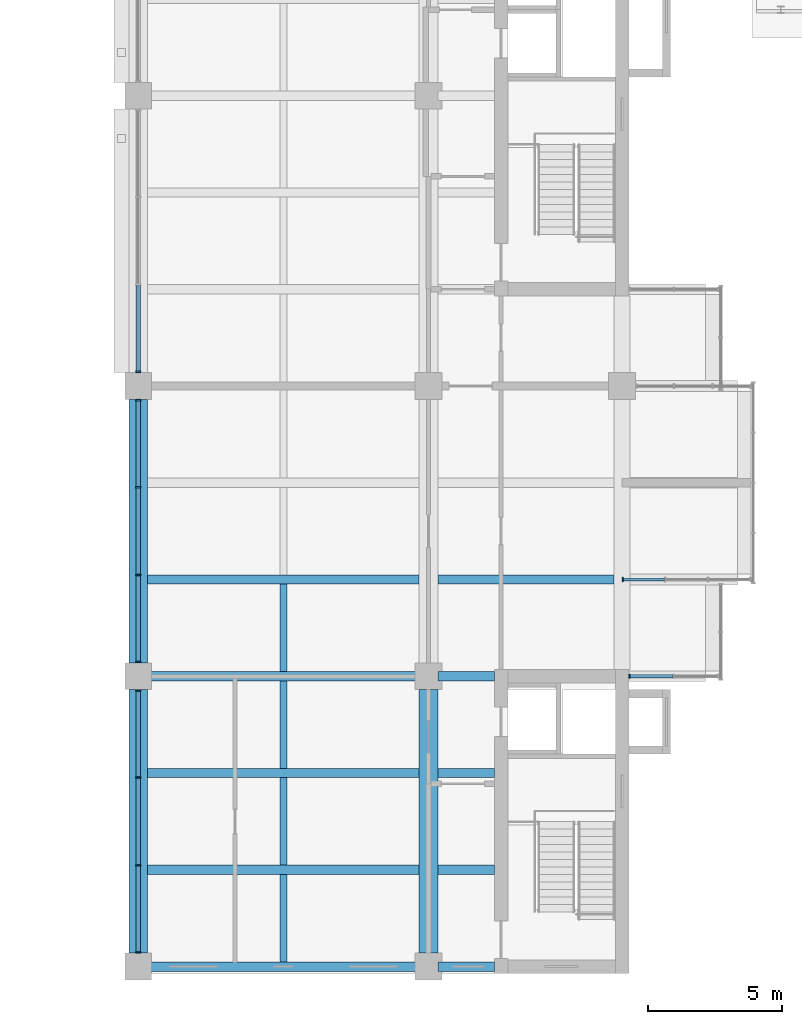
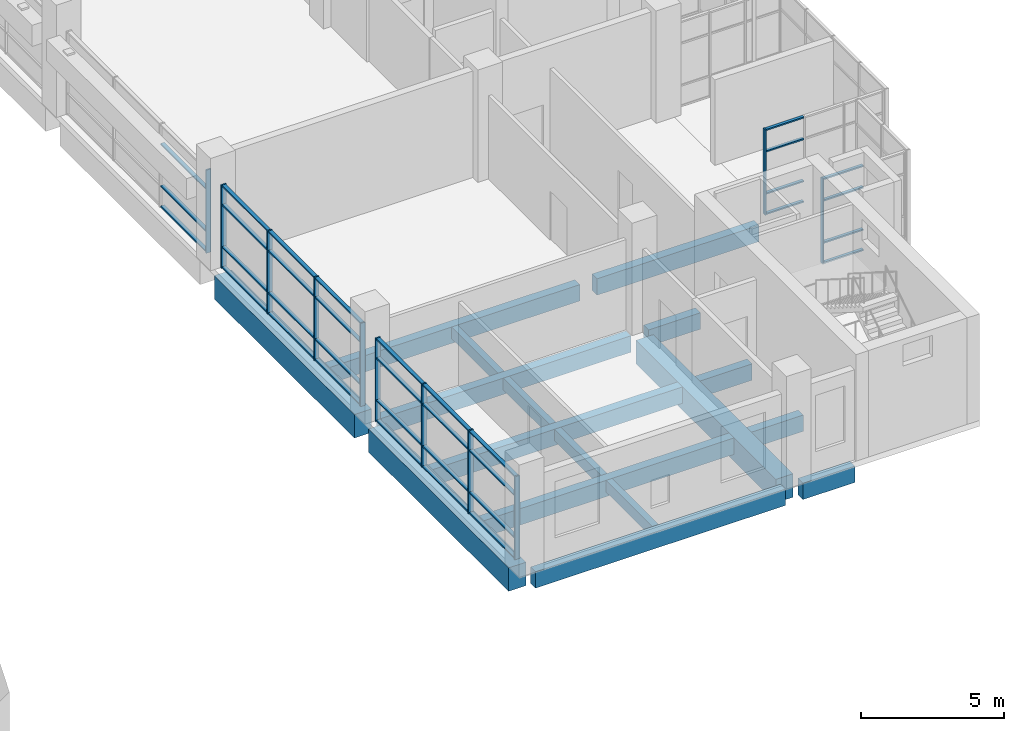
# One storey, part 5 of 44: 46 members, 17 beams, 5 elements without a shape of their own.
"""IFC4 building model written with IfcOpenShell, lengths in metres."""

from ifc_helpers import new_model, si_unit, direction, frame, origin, origin_2d, place, context, subcontext, project, spatial, rectangle, extrude, material, layer, layer_set, material_profile, profile_set, type_object, element, aggregate, save


model = new_model("IFC4")

# Units and contexts
model_context = context("Model", 3, precision=1e-05, world=origin(), true_north=direction((0.0, 1.0)))
body_context = subcontext(model_context, "Body", "Model", "MODEL_VIEW")
ifc_project = project(units=[si_unit("LENGTHUNIT", "METRE"), si_unit("AREAUNIT", "SQUARE_METRE"), si_unit("VOLUMEUNIT", "CUBIC_METRE"), si_unit("PLANEANGLEUNIT", "RADIAN"), si_unit("MASSUNIT", "GRAM", prefix="KILO")], contexts=[model_context])

# Site, building, storey
site_placement = place(None, origin())
site = spatial("IfcSite", under=ifc_project, at=site_placement, CompositionType="ELEMENT")
building_placement = place(site_placement, origin())
building = spatial("IfcBuilding", under=site, at=building_placement, Name="Basin Gate Institute", CompositionType="ELEMENT")
storey_placement = place(building_placement, frame((0.0, 0.0, 27.0)))
storey = spatial("IfcBuildingStorey", under=building, at=storey_placement, Name="L05", CompositionType="ELEMENT", Elevation=27.0)

# Beams
ifc_material_1 = material(Name="Concrete 40 MPa", Category="concrete")
ifc_material_profile_1 = material_profile(ifc_material_1, rectangle(XDim=0.35009765625, YDim=0.699951171875, at=origin_2d()), Name="Beam B1 350 x 700")
ifc_profile_set_1 = profile_set([ifc_material_profile_1], Name="Concrete 40 MPa")
beam_type_1 = type_object("IfcBeamType", Name="Beam B1 R120", PredefinedType="BEAM", material=ifc_profile_set_1)
beam_1_placement = place(storey_placement, frame((111.25, 35.10009765625, -0.60009765625), z_axis=(-1.0, 0.0, 0.0), x_axis=(0.0, -1.0, 0.0)))
element("IfcBeam", 1, at=beam_1_placement, inside=storey, type_object=beam_type_1, material=ifc_profile_set_1, Name="BEAM/L05/E/EW/01", PredefinedType="BEAM", context=body_context, shape_type="SweptSolid", body=[
    extrude(rectangle(XDim=0.35009765625, YDim=0.699951171875, at=origin_2d()), origin(), (0.0, 0.0, 1.0), 10.10009765625),
])
beam_2_placement = place(storey_placement, frame((114.050048828125, 35.10009765625, -0.60009765625), z_axis=(-1.0, 0.0, 0.0), x_axis=(0.0, -1.0, 0.0)))
element("IfcBeam", 2, at=beam_2_placement, inside=storey, type_object=beam_type_1, material=ifc_profile_set_1, Name="BEAM/L05/E/CORR/01", PredefinedType="BEAM", context=body_context, shape_type="SweptSolid", body=[
    extrude(rectangle(XDim=0.35009765625, YDim=0.699951171875, at=origin_2d()), origin(), (0.0, 0.0, 1.0), 2.10009765625),
])
beam_3_placement = place(storey_placement, frame((111.25, 38.699951171875, -0.60009765625), z_axis=(-1.0, 0.0, 0.0), x_axis=(0.0, -1.0, 0.0)))
element("IfcBeam", 3, at=beam_3_placement, inside=storey, type_object=beam_type_1, material=ifc_profile_set_1, Name="BEAM/L05/E/EW/02", PredefinedType="BEAM", context=body_context, shape_type="SweptSolid", body=[
    extrude(rectangle(XDim=0.35009765625, YDim=0.699951171875, at=origin_2d()), origin(), (0.0, 0.0, 1.0), 10.10009765625),
])
beam_4_placement = place(storey_placement, frame((114.050048828125, 38.699951171875, -0.60009765625), z_axis=(-1.0, 0.0, 0.0), x_axis=(0.0, -1.0, 0.0)))
element("IfcBeam", 4, at=beam_4_placement, inside=storey, type_object=beam_type_1, material=ifc_profile_set_1, Name="BEAM/L05/E/CORR/02", PredefinedType="BEAM", context=body_context, shape_type="SweptSolid", body=[
    extrude(rectangle(XDim=0.35009765625, YDim=0.699951171875, at=origin_2d()), origin(), (0.0, 0.0, 1.0), 2.10009765625),
])
beam_5_placement = place(storey_placement, frame((111.25, 42.300048828125, -0.60009765625), z_axis=(-1.0, 0.0, 0.0), x_axis=(0.0, -1.0, 0.0)))
element("IfcBeam", 5, at=beam_5_placement, inside=storey, type_object=beam_type_1, material=ifc_profile_set_1, Name="BEAM/L05/E/EW/03", PredefinedType="BEAM", context=body_context, shape_type="SweptSolid", body=[
    extrude(rectangle(XDim=0.35009765625, YDim=0.699951171875, at=origin_2d()), origin(), (0.0, 0.0, 1.0), 10.10009765625),
])
beam_6_placement = place(storey_placement, frame((114.050048828125, 42.300048828125, -0.60009765625), z_axis=(-1.0, 0.0, 0.0), x_axis=(0.0, -1.0, 0.0)))
element("IfcBeam", 6, at=beam_6_placement, inside=storey, type_object=beam_type_1, material=ifc_profile_set_1, Name="BEAM/L05/E/CORR/03", PredefinedType="BEAM", context=body_context, shape_type="SweptSolid", body=[
    extrude(rectangle(XDim=0.35009765625, YDim=0.699951171875, at=origin_2d()), origin(), (0.0, 0.0, 1.0), 2.10009765625),
])
beam_7_placement = place(storey_placement, frame((111.25, 45.89990234375, -0.60009765625), z_axis=(-1.0, 0.0, 0.0), x_axis=(0.0, -1.0, 0.0)))
element("IfcBeam", 7, at=beam_7_placement, inside=storey, type_object=beam_type_1, material=ifc_profile_set_1, Name="BEAM/L05/E/EW/04", PredefinedType="BEAM", context=body_context, shape_type="SweptSolid", body=[
    extrude(rectangle(XDim=0.35009765625, YDim=0.699951171875, at=origin_2d()), origin(), (0.0, 0.0, 1.0), 10.10009765625),
])
beam_8_placement = place(storey_placement, frame((114.050048828125, 45.89990234375, -0.60009765625), z_axis=(-1.0, 0.0, 0.0), x_axis=(0.0, -1.0, 0.0)))
element("IfcBeam", 8, at=beam_8_placement, inside=storey, type_object=beam_type_1, material=ifc_profile_set_1, Name="BEAM/L05/E/CORR/04", PredefinedType="BEAM", context=body_context, shape_type="SweptSolid", body=[
    extrude(rectangle(XDim=0.35009765625, YDim=0.699951171875, at=origin_2d()), origin(), (0.0, 0.0, 1.0), 2.10009765625),
])
beam_9_placement = place(storey_placement, frame((111.25, 49.5, -0.60009765625), z_axis=(-1.0, 0.0, 0.0), x_axis=(0.0, -1.0, 0.0)))
element("IfcBeam", 9, at=beam_9_placement, inside=storey, type_object=beam_type_1, material=ifc_profile_set_1, Name="BEAM/L05/E/EW/05", PredefinedType="BEAM", context=body_context, shape_type="SweptSolid", body=[
    extrude(rectangle(XDim=0.35009765625, YDim=0.699951171875, at=origin_2d()), origin(), (0.0, 0.0, 1.0), 10.10009765625),
])
beam_10_placement = place(storey_placement, frame((118.5, 49.5, -0.60009765625), z_axis=(-1.0, 0.0, 0.0), x_axis=(0.0, -1.0, 0.0)))
element("IfcBeam", 10, at=beam_10_placement, inside=storey, type_object=beam_type_1, material=ifc_profile_set_1, Name="BEAM/L05/E/OUT/05", PredefinedType="BEAM", context=body_context, shape_type="SweptSolid", body=[
    extrude(rectangle(XDim=0.35009765625, YDim=0.699951171875, at=origin_2d()), origin(), (0.0, 0.0, 1.0), 6.550048828125),
])
ifc_material_2 = material(Name="Concrete 50 MPa", Category="concrete")
ifc_material_profile_2 = material_profile(ifc_material_2, rectangle(XDim=0.699951171875, YDim=1.0, at=origin_2d()), Name="Girder G1 700 x 1000")
ifc_profile_set_2 = profile_set([ifc_material_profile_2], Name="Concrete 50 MPa")
beam_type_2 = type_object("IfcBeamType", Name="Girder G1 R120", PredefinedType="BEAM", material=ifc_profile_set_2)
for number, where, z_axis, x_axis, name in (
    (11, (111.60009765625, 35.60009765625, -0.75), (0.0, 1.0, 0.0), (-1.0, 0.0, 0.0), "GIR/L05/E8/1"),
    (12, (100.800048828125, 35.60009765625, -0.75), (0.0, 1.0, 0.0), (-1.0, 0.0, 0.0), "GIR/L05/E7/1"),
):
    element("IfcBeam", number, at=place(storey_placement, frame(where, z_axis=z_axis, x_axis=x_axis)), inside=storey, type_object=beam_type_2, material=ifc_profile_set_2, Name=name, PredefinedType="BEAM", context=body_context, shape_type="SweptSolid", body=[
        extrude(rectangle(XDim=0.699951171875, YDim=1.0, at=origin_2d()), origin(), (0.0, 0.0, 1.0), 9.7998046875),
    ])
beam_11_placement = place(storey_placement, frame((100.800048828125, 46.39990234375, -0.75), z_axis=(0.0, 1.0, 0.0), x_axis=(-1.0, 0.0, 0.0)))
element("IfcBeam", 13, at=beam_11_placement, inside=storey, type_object=beam_type_2, material=ifc_profile_set_2, Name="GIR/L05/E7/2", PredefinedType="BEAM", context=body_context, shape_type="SweptSolid", body=[
    extrude(rectangle(XDim=0.699951171875, YDim=1.0, at=origin_2d()), origin(), (0.0, 0.0, 1.0), 9.800048828125),
])

# Curtain wall, member
ifc_material_3 = material(Name="Aluminium-framed glazing", Category="aluminium")
ifc_layer_1 = layer(ifc_material_3, 0.14990234375)
ifc_layer_set_1 = layer_set([ifc_layer_1], Name="Capsule front curtain wall CW1")
curtain_wall_type_1 = type_object("IfcCurtainWallType", Name="Capsule front curtain wall CW1", PredefinedType="NOTDEFINED", material=ifc_layer_set_1)
curtain_wall_1_placement = place(storey_placement, origin())
curtain_wall_1 = element("IfcCurtainWall", 14, at=curtain_wall_1_placement, inside=storey, type_object=curtain_wall_type_1, material=ifc_layer_set_1, Name="Capsule front curtain wall E wing capsule end L05 line 4", PredefinedType="NOTDEFINED")
ifc_material_4 = material(Name="Aluminium", Category="aluminium")
ifc_material_profile_3 = material_profile(ifc_material_4, rectangle(XDim=0.14990234375, YDim=0.050048828125, at=origin_2d()), Name="Mullion MU1 150 x 50")
ifc_profile_set_3 = profile_set([ifc_material_profile_3], Name="Aluminium")
member_type_1 = type_object("IfcMemberType", Name="Mullion MU1", PredefinedType="MULLION", material=ifc_profile_set_3)
member_1_placement = place(storey_placement, frame((119.074951171875, 45.89990234375, 0.0), z_axis=(0.0, 0.0, 1.0), x_axis=(0.0, -1.0, 0.0)))
member_1 = element("IfcMember", 15, at=member_1_placement, type_object=member_type_1, material=ifc_profile_set_3, Name="CW1 mullion 3", PredefinedType="MULLION", context=body_context, shape_type="SweptSolid", body=[
    extrude(rectangle(XDim=0.14990234375, YDim=0.050048828125, at=origin_2d()), origin(), (0.0, 0.0, 1.0), 3.64990234375),
])

curtain_wall_2_placement = place(storey_placement, origin())
curtain_wall_2 = element("IfcCurtainWall", 16, at=curtain_wall_2_placement, inside=storey, type_object=curtain_wall_type_1, material=ifc_layer_set_1, Name="Capsule front curtain wall E wing capsule end L05 line 5", PredefinedType="NOTDEFINED")
member_2_placement = place(storey_placement, frame((118.824951171875, 49.5, 0.0), z_axis=(0.0, 0.0, 1.0), x_axis=(0.0, -1.0, 0.0)))
member_2 = element("IfcMember", 17, at=member_2_placement, type_object=member_type_1, material=ifc_profile_set_3, Name="CW1 mullion 4", PredefinedType="MULLION", context=body_context, shape_type="SweptSolid", body=[
    extrude(rectangle(XDim=0.14990234375, YDim=0.050048828125, at=origin_2d()), origin(), (0.0, 0.0, 1.0), 3.64990234375),
])

# Curtain wall, members
ifc_material_5 = material(Name="Aluminium-framed glazing", Category="aluminium")
ifc_layer_2 = layer(ifc_material_5, 0.199951171875)
ifc_layer_set_2 = layer_set([ifc_layer_2], Name="Atrium curtain wall CW2")
curtain_wall_type_2 = type_object("IfcCurtainWallType", Name="Atrium curtain wall CW2", PredefinedType="NOTDEFINED", material=ifc_layer_set_2)
curtain_wall_3_placement = place(storey_placement, origin())
curtain_wall_3 = element("IfcCurtainWall", 18, at=curtain_wall_3_placement, inside=storey, type_object=curtain_wall_type_2, material=ifc_layer_set_2, Name="Atrium curtain wall E wing atrium bay 1 L05", PredefinedType="NOTDEFINED")
ifc_material_6 = material(Name="Aluminium", Category="aluminium")
ifc_material_profile_4 = material_profile(ifc_material_6, rectangle(XDim=0.199951171875, YDim=0.06005859375, at=origin_2d()), Name="Mullion MU2 200 x 60")
ifc_profile_set_4 = profile_set([ifc_material_profile_4], Name="Aluminium")
member_type_2 = type_object("IfcMemberType", Name="Mullion MU2", PredefinedType="MULLION", material=ifc_profile_set_4)
member_3_placement = place(storey_placement, frame((100.800048828125, 35.6298828125, 0.0), z_axis=(0.0, 0.0, 1.0), x_axis=(-1.0, 0.0, 0.0)))
member_3 = element("IfcMember", 19, at=member_3_placement, type_object=member_type_2, material=ifc_profile_set_4, Name="CW2 mullion 1", PredefinedType="MULLION", context=body_context, shape_type="SweptSolid", body=[
    extrude(rectangle(XDim=0.199951171875, YDim=0.06005859375, at=origin_2d()), origin(), (0.0, 0.0, 1.0), 3.550048828125),
])
member_4_placement = place(storey_placement, frame((100.800048828125, 38.86669921875, 0.0), z_axis=(0.0, 0.0, 1.0), x_axis=(-1.0, 0.0, 0.0)))
member_4 = element("IfcMember", 20, at=member_4_placement, type_object=member_type_2, material=ifc_profile_set_4, Name="CW2 mullion 2", PredefinedType="MULLION", context=body_context, shape_type="SweptSolid", body=[
    extrude(rectangle(XDim=0.199951171875, YDim=0.06005859375, at=origin_2d()), origin(), (0.0, 0.0, 1.0), 3.550048828125),
])
member_5_placement = place(storey_placement, frame((100.800048828125, 42.13330078125, 0.0), z_axis=(0.0, 0.0, 1.0), x_axis=(-1.0, 0.0, 0.0)))
member_5 = element("IfcMember", 21, at=member_5_placement, type_object=member_type_2, material=ifc_profile_set_4, Name="CW2 mullion 3", PredefinedType="MULLION", context=body_context, shape_type="SweptSolid", body=[
    extrude(rectangle(XDim=0.199951171875, YDim=0.06005859375, at=origin_2d()), origin(), (0.0, 0.0, 1.0), 3.550048828125),
])
member_6_placement = place(storey_placement, frame((100.800048828125, 45.3701171875, 0.0), z_axis=(0.0, 0.0, 1.0), x_axis=(-1.0, 0.0, 0.0)))
member_6 = element("IfcMember", 22, at=member_6_placement, type_object=member_type_2, material=ifc_profile_set_4, Name="CW2 mullion 4", PredefinedType="MULLION", context=body_context, shape_type="SweptSolid", body=[
    extrude(rectangle(XDim=0.199951171875, YDim=0.06005859375, at=origin_2d()), origin(), (0.0, 0.0, 1.0), 3.550048828125),
])

curtain_wall_4_placement = place(storey_placement, origin())
curtain_wall_4 = element("IfcCurtainWall", 23, at=curtain_wall_4_placement, inside=storey, type_object=curtain_wall_type_2, material=ifc_layer_set_2, Name="Atrium curtain wall E wing atrium bay 2 L05", PredefinedType="NOTDEFINED")
member_7_placement = place(storey_placement, frame((100.800048828125, 46.429931640625, 0.0), z_axis=(0.0, 0.0, 1.0), x_axis=(-1.0, 0.0, 0.0)))
member_7 = element("IfcMember", 24, at=member_7_placement, type_object=member_type_2, material=ifc_profile_set_4, Name="CW2 mullion 1", PredefinedType="MULLION", context=body_context, shape_type="SweptSolid", body=[
    extrude(rectangle(XDim=0.199951171875, YDim=0.06005859375, at=origin_2d()), origin(), (0.0, 0.0, 1.0), 3.550048828125),
])
member_8_placement = place(storey_placement, frame((100.800048828125, 49.666748046875, 0.0), z_axis=(0.0, 0.0, 1.0), x_axis=(-1.0, 0.0, 0.0)))
member_8 = element("IfcMember", 25, at=member_8_placement, type_object=member_type_2, material=ifc_profile_set_4, Name="CW2 mullion 2", PredefinedType="MULLION", context=body_context, shape_type="SweptSolid", body=[
    extrude(rectangle(XDim=0.199951171875, YDim=0.06005859375, at=origin_2d()), origin(), (0.0, 0.0, 1.0), 3.550048828125),
])
member_9_placement = place(storey_placement, frame((100.800048828125, 52.933349609375, 0.0), z_axis=(0.0, 0.0, 1.0), x_axis=(-1.0, 0.0, 0.0)))
member_9 = element("IfcMember", 26, at=member_9_placement, type_object=member_type_2, material=ifc_profile_set_4, Name="CW2 mullion 3", PredefinedType="MULLION", context=body_context, shape_type="SweptSolid", body=[
    extrude(rectangle(XDim=0.199951171875, YDim=0.06005859375, at=origin_2d()), origin(), (0.0, 0.0, 1.0), 3.550048828125),
])
member_10_placement = place(storey_placement, frame((100.800048828125, 56.169921875, 0.0), z_axis=(0.0, 0.0, 1.0), x_axis=(-1.0, 0.0, 0.0)))
member_10 = element("IfcMember", 27, at=member_10_placement, type_object=member_type_2, material=ifc_profile_set_4, Name="CW2 mullion 4", PredefinedType="MULLION", context=body_context, shape_type="SweptSolid", body=[
    extrude(rectangle(XDim=0.199951171875, YDim=0.06005859375, at=origin_2d()), origin(), (0.0, 0.0, 1.0), 3.550048828125),
])

# Curtain wall, member
curtain_wall_5_placement = place(storey_placement, origin())
curtain_wall_5 = element("IfcCurtainWall", 28, at=curtain_wall_5_placement, inside=storey, type_object=curtain_wall_type_2, material=ifc_layer_set_2, Name="Atrium curtain wall E wing atrium bay 3 L05", PredefinedType="NOTDEFINED")
member_11_placement = place(storey_placement, frame((100.800048828125, 57.22998046875, 0.0), z_axis=(0.0, 0.0, 1.0), x_axis=(-1.0, 0.0, 0.0)))
member_11 = element("IfcMember", 29, at=member_11_placement, type_object=member_type_2, material=ifc_profile_set_4, Name="CW2 mullion 1", PredefinedType="MULLION", context=body_context, shape_type="SweptSolid", body=[
    extrude(rectangle(XDim=0.199951171875, YDim=0.06005859375, at=origin_2d()), origin(), (0.0, 0.0, 1.0), 3.550048828125),
])

# Beams
ifc_material_7 = material(Name="Concrete 40 MPa", Category="concrete")
ifc_material_profile_5 = material_profile(ifc_material_7, rectangle(XDim=0.25, YDim=0.5, at=origin_2d()), Name="Rib R1 250 x 500")
ifc_profile_set_5 = profile_set([ifc_material_profile_5], Name="Concrete 40 MPa")
beam_type_3 = type_object("IfcBeamType", Name="Rib R1 R120", PredefinedType="JOIST", material=ifc_profile_set_5)
for number, where, z_axis, x_axis, name in (
    (30, (106.199951171875, 35.27490234375, -0.5), (0.0, 1.0, 0.0), (-1.0, 0.0, 0.0), "BEAM/L05/E/RIB/01"),
    (31, (106.199951171875, 38.875, -0.5), (0.0, 1.0, 0.0), (-1.0, 0.0, 0.0), "BEAM/L05/E/RIB/02"),
    (32, (106.199951171875, 42.47509765625, -0.5), (0.0, 1.0, 0.0), (-1.0, 0.0, 0.0), "BEAM/L05/E/RIB/03"),
    (33, (106.199951171875, 46.074951171875, -0.5), (0.0, 1.0, 0.0), (-1.0, 0.0, 0.0), "BEAM/L05/E/RIB/04"),
):
    element("IfcBeam", number, at=place(storey_placement, frame(where, z_axis=z_axis, x_axis=x_axis)), inside=storey, type_object=beam_type_3, material=ifc_profile_set_5, Name=name, PredefinedType="JOIST", context=body_context, shape_type="SweptSolid", body=[
        extrude(rectangle(XDim=0.25, YDim=0.5, at=origin_2d()), origin(), (0.0, 0.0, 1.0), 3.25),
    ])

# Member
ifc_material_8 = material(Name="Aluminium", Category="aluminium")
ifc_material_profile_6 = material_profile(ifc_material_8, rectangle(XDim=0.1201171875, YDim=0.06005859375, at=origin_2d()), Name="Transom TR1 120 x 60")
ifc_profile_set_6 = profile_set([ifc_material_profile_6], Name="Aluminium")
member_type_3 = type_object("IfcMemberType", Name="Transom TR1", PredefinedType="USERDEFINED", material=ifc_profile_set_6)
member_12_placement = place(storey_placement, frame((120.699951171875, 45.89990234375, 0.030029296875), z_axis=(-1.0, 0.0, 0.0), x_axis=(0.0, -1.0, 0.0)))
member_12 = element("IfcMember", 34, at=member_12_placement, type_object=member_type_3, material=ifc_profile_set_6, Name="CW1 transom 2.1", ObjectType="TRANSOM", PredefinedType="USERDEFINED", context=body_context, shape_type="SweptSolid", body=[
    extrude(rectangle(XDim=0.1201171875, YDim=0.06005859375, at=origin_2d()), origin(), (0.0, 0.0, 1.0), 1.599853515625),
])

member_13_placement = place(storey_placement, frame((120.699951171875, 45.89990234375, 0.89990234375), z_axis=(-1.0, 0.0, 0.0), x_axis=(0.0, -1.0, 0.0)))
member_13 = element("IfcMember", 35, at=member_13_placement, type_object=member_type_3, material=ifc_profile_set_6, Name="CW1 transom 2.2", ObjectType="TRANSOM", PredefinedType="USERDEFINED", context=body_context, shape_type="SweptSolid", body=[
    extrude(rectangle(XDim=0.1201171875, YDim=0.06005859375, at=origin_2d()), origin(), (0.0, 0.0, 1.0), 1.599853515625),
])

member_14_placement = place(storey_placement, frame((120.699951171875, 45.89990234375, 2.699951171875), z_axis=(-1.0, 0.0, 0.0), x_axis=(0.0, -1.0, 0.0)))
member_14 = element("IfcMember", 36, at=member_14_placement, type_object=member_type_3, material=ifc_profile_set_6, Name="CW1 transom 2.3", ObjectType="TRANSOM", PredefinedType="USERDEFINED", context=body_context, shape_type="SweptSolid", body=[
    extrude(rectangle(XDim=0.1201171875, YDim=0.06005859375, at=origin_2d()), origin(), (0.0, 0.0, 1.0), 1.599853515625),
])

member_15_placement = place(storey_placement, frame((120.699951171875, 45.89990234375, 3.6201171875), z_axis=(-1.0, 0.0, 0.0), x_axis=(0.0, -1.0, 0.0)))
member_15 = element("IfcMember", 37, at=member_15_placement, type_object=member_type_3, material=ifc_profile_set_6, Name="CW1 transom 2.4", ObjectType="TRANSOM", PredefinedType="USERDEFINED", context=body_context, shape_type="SweptSolid", body=[
    extrude(rectangle(XDim=0.1201171875, YDim=0.06005859375, at=origin_2d()), origin(), (0.0, 0.0, 1.0), 1.599853515625),
])

aggregate(curtain_wall_1, [member_1, member_12, member_13, member_14, member_15])

member_16_placement = place(storey_placement, frame((120.375, 49.5, 0.030029296875), z_axis=(-1.0, 0.0, 0.0), x_axis=(0.0, -1.0, 0.0)))
member_16 = element("IfcMember", 38, at=member_16_placement, type_object=member_type_3, material=ifc_profile_set_6, Name="CW1 transom 3.1", ObjectType="TRANSOM", PredefinedType="USERDEFINED", context=body_context, shape_type="SweptSolid", body=[
    extrude(rectangle(XDim=0.1201171875, YDim=0.06005859375, at=origin_2d()), origin(), (0.0, 0.0, 1.0), 1.52490234375),
])

member_17_placement = place(storey_placement, frame((120.375, 49.5, 0.89990234375), z_axis=(-1.0, 0.0, 0.0), x_axis=(0.0, -1.0, 0.0)))
member_17 = element("IfcMember", 39, at=member_17_placement, type_object=member_type_3, material=ifc_profile_set_6, Name="CW1 transom 3.2", ObjectType="TRANSOM", PredefinedType="USERDEFINED", context=body_context, shape_type="SweptSolid", body=[
    extrude(rectangle(XDim=0.1201171875, YDim=0.06005859375, at=origin_2d()), origin(), (0.0, 0.0, 1.0), 1.52490234375),
])

member_18_placement = place(storey_placement, frame((120.375, 49.5, 2.699951171875), z_axis=(-1.0, 0.0, 0.0), x_axis=(0.0, -1.0, 0.0)))
member_18 = element("IfcMember", 40, at=member_18_placement, type_object=member_type_3, material=ifc_profile_set_6, Name="CW1 transom 3.3", ObjectType="TRANSOM", PredefinedType="USERDEFINED", context=body_context, shape_type="SweptSolid", body=[
    extrude(rectangle(XDim=0.1201171875, YDim=0.06005859375, at=origin_2d()), origin(), (0.0, 0.0, 1.0), 1.52490234375),
])

member_19_placement = place(storey_placement, frame((120.375, 49.5, 3.6201171875), z_axis=(-1.0, 0.0, 0.0), x_axis=(0.0, -1.0, 0.0)))
member_19 = element("IfcMember", 41, at=member_19_placement, type_object=member_type_3, material=ifc_profile_set_6, Name="CW1 transom 3.4", ObjectType="TRANSOM", PredefinedType="USERDEFINED", context=body_context, shape_type="SweptSolid", body=[
    extrude(rectangle(XDim=0.1201171875, YDim=0.06005859375, at=origin_2d()), origin(), (0.0, 0.0, 1.0), 1.52490234375),
])

aggregate(curtain_wall_2, [member_2, member_16, member_17, member_18, member_19])

ifc_material_9 = material(Name="Aluminium", Category="aluminium")
ifc_material_profile_7 = material_profile(ifc_material_9, rectangle(XDim=0.14990234375, YDim=0.06005859375, at=origin_2d()), Name="Transom TR2 150 x 60")
ifc_profile_set_7 = profile_set([ifc_material_profile_7], Name="Aluminium")
member_type_4 = type_object("IfcMemberType", Name="Transom TR2", PredefinedType="USERDEFINED", material=ifc_profile_set_7)
member_20_placement = place(storey_placement, frame((100.800048828125, 35.659912109375, 0.030029296875), z_axis=(0.0, 1.0, 0.0), x_axis=(-1.0, 0.0, 0.0)))
member_20 = element("IfcMember", 42, at=member_20_placement, type_object=member_type_4, material=ifc_profile_set_7, Name="CW2 transom 1.1", ObjectType="TRANSOM", PredefinedType="USERDEFINED", context=body_context, shape_type="SweptSolid", body=[
    extrude(rectangle(XDim=0.14990234375, YDim=0.06005859375, at=origin_2d()), origin(), (0.0, 0.0, 1.0), 3.1767578125),
])

member_21_placement = place(storey_placement, frame((100.800048828125, 35.659912109375, 0.89990234375), z_axis=(0.0, 1.0, 0.0), x_axis=(-1.0, 0.0, 0.0)))
member_21 = element("IfcMember", 43, at=member_21_placement, type_object=member_type_4, material=ifc_profile_set_7, Name="CW2 transom 1.2", ObjectType="TRANSOM", PredefinedType="USERDEFINED", context=body_context, shape_type="SweptSolid", body=[
    extrude(rectangle(XDim=0.14990234375, YDim=0.06005859375, at=origin_2d()), origin(), (0.0, 0.0, 1.0), 3.1767578125),
])

member_22_placement = place(storey_placement, frame((100.800048828125, 35.659912109375, 2.699951171875), z_axis=(0.0, 1.0, 0.0), x_axis=(-1.0, 0.0, 0.0)))
member_22 = element("IfcMember", 44, at=member_22_placement, type_object=member_type_4, material=ifc_profile_set_7, Name="CW2 transom 1.3", ObjectType="TRANSOM", PredefinedType="USERDEFINED", context=body_context, shape_type="SweptSolid", body=[
    extrude(rectangle(XDim=0.14990234375, YDim=0.06005859375, at=origin_2d()), origin(), (0.0, 0.0, 1.0), 3.1767578125),
])

member_23_placement = place(storey_placement, frame((100.800048828125, 35.659912109375, 3.52001953125), z_axis=(0.0, 1.0, 0.0), x_axis=(-1.0, 0.0, 0.0)))
member_23 = element("IfcMember", 45, at=member_23_placement, type_object=member_type_4, material=ifc_profile_set_7, Name="CW2 transom 1.4", ObjectType="TRANSOM", PredefinedType="USERDEFINED", context=body_context, shape_type="SweptSolid", body=[
    extrude(rectangle(XDim=0.14990234375, YDim=0.06005859375, at=origin_2d()), origin(), (0.0, 0.0, 1.0), 3.1767578125),
])

member_24_placement = place(storey_placement, frame((100.800048828125, 38.896728515625, 0.030029296875), z_axis=(0.0, 1.0, 0.0), x_axis=(-1.0, 0.0, 0.0)))
member_24 = element("IfcMember", 46, at=member_24_placement, type_object=member_type_4, material=ifc_profile_set_7, Name="CW2 transom 2.1", ObjectType="TRANSOM", PredefinedType="USERDEFINED", context=body_context, shape_type="SweptSolid", body=[
    extrude(rectangle(XDim=0.14990234375, YDim=0.06005859375, at=origin_2d()), origin(), (0.0, 0.0, 1.0), 3.20654296875),
])

member_25_placement = place(storey_placement, frame((100.800048828125, 38.896728515625, 0.89990234375), z_axis=(0.0, 1.0, 0.0), x_axis=(-1.0, 0.0, 0.0)))
member_25 = element("IfcMember", 47, at=member_25_placement, type_object=member_type_4, material=ifc_profile_set_7, Name="CW2 transom 2.2", ObjectType="TRANSOM", PredefinedType="USERDEFINED", context=body_context, shape_type="SweptSolid", body=[
    extrude(rectangle(XDim=0.14990234375, YDim=0.06005859375, at=origin_2d()), origin(), (0.0, 0.0, 1.0), 3.20654296875),
])

member_26_placement = place(storey_placement, frame((100.800048828125, 38.896728515625, 2.699951171875), z_axis=(0.0, 1.0, 0.0), x_axis=(-1.0, 0.0, 0.0)))
member_26 = element("IfcMember", 48, at=member_26_placement, type_object=member_type_4, material=ifc_profile_set_7, Name="CW2 transom 2.3", ObjectType="TRANSOM", PredefinedType="USERDEFINED", context=body_context, shape_type="SweptSolid", body=[
    extrude(rectangle(XDim=0.14990234375, YDim=0.06005859375, at=origin_2d()), origin(), (0.0, 0.0, 1.0), 3.20654296875),
])

member_27_placement = place(storey_placement, frame((100.800048828125, 38.896728515625, 3.52001953125), z_axis=(0.0, 1.0, 0.0), x_axis=(-1.0, 0.0, 0.0)))
member_27 = element("IfcMember", 49, at=member_27_placement, type_object=member_type_4, material=ifc_profile_set_7, Name="CW2 transom 2.4", ObjectType="TRANSOM", PredefinedType="USERDEFINED", context=body_context, shape_type="SweptSolid", body=[
    extrude(rectangle(XDim=0.14990234375, YDim=0.06005859375, at=origin_2d()), origin(), (0.0, 0.0, 1.0), 3.20654296875),
])

member_28_placement = place(storey_placement, frame((100.800048828125, 42.163330078125, 0.030029296875), z_axis=(0.0, 1.0, 0.0), x_axis=(-1.0, 0.0, 0.0)))
member_28 = element("IfcMember", 50, at=member_28_placement, type_object=member_type_4, material=ifc_profile_set_7, Name="CW2 transom 3.1", ObjectType="TRANSOM", PredefinedType="USERDEFINED", context=body_context, shape_type="SweptSolid", body=[
    extrude(rectangle(XDim=0.14990234375, YDim=0.06005859375, at=origin_2d()), origin(), (0.0, 0.0, 1.0), 3.1767578125),
])

member_29_placement = place(storey_placement, frame((100.800048828125, 42.163330078125, 0.89990234375), z_axis=(0.0, 1.0, 0.0), x_axis=(-1.0, 0.0, 0.0)))
member_29 = element("IfcMember", 51, at=member_29_placement, type_object=member_type_4, material=ifc_profile_set_7, Name="CW2 transom 3.2", ObjectType="TRANSOM", PredefinedType="USERDEFINED", context=body_context, shape_type="SweptSolid", body=[
    extrude(rectangle(XDim=0.14990234375, YDim=0.06005859375, at=origin_2d()), origin(), (0.0, 0.0, 1.0), 3.1767578125),
])

member_30_placement = place(storey_placement, frame((100.800048828125, 42.163330078125, 2.699951171875), z_axis=(0.0, 1.0, 0.0), x_axis=(-1.0, 0.0, 0.0)))
member_30 = element("IfcMember", 52, at=member_30_placement, type_object=member_type_4, material=ifc_profile_set_7, Name="CW2 transom 3.3", ObjectType="TRANSOM", PredefinedType="USERDEFINED", context=body_context, shape_type="SweptSolid", body=[
    extrude(rectangle(XDim=0.14990234375, YDim=0.06005859375, at=origin_2d()), origin(), (0.0, 0.0, 1.0), 3.1767578125),
])

member_31_placement = place(storey_placement, frame((100.800048828125, 42.163330078125, 3.52001953125), z_axis=(0.0, 1.0, 0.0), x_axis=(-1.0, 0.0, 0.0)))
member_31 = element("IfcMember", 53, at=member_31_placement, type_object=member_type_4, material=ifc_profile_set_7, Name="CW2 transom 3.4", ObjectType="TRANSOM", PredefinedType="USERDEFINED", context=body_context, shape_type="SweptSolid", body=[
    extrude(rectangle(XDim=0.14990234375, YDim=0.06005859375, at=origin_2d()), origin(), (0.0, 0.0, 1.0), 3.1767578125),
])

aggregate(curtain_wall_3, [member_3, member_4, member_5, member_6, member_20, member_21, member_22, member_23, member_24, member_25, member_26, member_27, member_28, member_29, member_30, member_31])

member_32_placement = place(storey_placement, frame((100.800048828125, 46.4599609375, 0.030029296875), z_axis=(0.0, 1.0, 0.0), x_axis=(-1.0, 0.0, 0.0)))
member_32 = element("IfcMember", 54, at=member_32_placement, type_object=member_type_4, material=ifc_profile_set_7, Name="CW2 transom 1.1", ObjectType="TRANSOM", PredefinedType="USERDEFINED", context=body_context, shape_type="SweptSolid", body=[
    extrude(rectangle(XDim=0.14990234375, YDim=0.06005859375, at=origin_2d()), origin(), (0.0, 0.0, 1.0), 3.1767578125),
])

member_33_placement = place(storey_placement, frame((100.800048828125, 46.4599609375, 0.89990234375), z_axis=(0.0, 1.0, 0.0), x_axis=(-1.0, 0.0, 0.0)))
member_33 = element("IfcMember", 55, at=member_33_placement, type_object=member_type_4, material=ifc_profile_set_7, Name="CW2 transom 1.2", ObjectType="TRANSOM", PredefinedType="USERDEFINED", context=body_context, shape_type="SweptSolid", body=[
    extrude(rectangle(XDim=0.14990234375, YDim=0.06005859375, at=origin_2d()), origin(), (0.0, 0.0, 1.0), 3.1767578125),
])

member_34_placement = place(storey_placement, frame((100.800048828125, 46.4599609375, 2.699951171875), z_axis=(0.0, 1.0, 0.0), x_axis=(-1.0, 0.0, 0.0)))
member_34 = element("IfcMember", 56, at=member_34_placement, type_object=member_type_4, material=ifc_profile_set_7, Name="CW2 transom 1.3", ObjectType="TRANSOM", PredefinedType="USERDEFINED", context=body_context, shape_type="SweptSolid", body=[
    extrude(rectangle(XDim=0.14990234375, YDim=0.06005859375, at=origin_2d()), origin(), (0.0, 0.0, 1.0), 3.1767578125),
])

member_35_placement = place(storey_placement, frame((100.800048828125, 46.4599609375, 3.52001953125), z_axis=(0.0, 1.0, 0.0), x_axis=(-1.0, 0.0, 0.0)))
member_35 = element("IfcMember", 57, at=member_35_placement, type_object=member_type_4, material=ifc_profile_set_7, Name="CW2 transom 1.4", ObjectType="TRANSOM", PredefinedType="USERDEFINED", context=body_context, shape_type="SweptSolid", body=[
    extrude(rectangle(XDim=0.14990234375, YDim=0.06005859375, at=origin_2d()), origin(), (0.0, 0.0, 1.0), 3.1767578125),
])

member_36_placement = place(storey_placement, frame((100.800048828125, 49.69677734375, 0.030029296875), z_axis=(0.0, 1.0, 0.0), x_axis=(-1.0, 0.0, 0.0)))
member_36 = element("IfcMember", 58, at=member_36_placement, type_object=member_type_4, material=ifc_profile_set_7, Name="CW2 transom 2.1", ObjectType="TRANSOM", PredefinedType="USERDEFINED", context=body_context, shape_type="SweptSolid", body=[
    extrude(rectangle(XDim=0.14990234375, YDim=0.06005859375, at=origin_2d()), origin(), (0.0, 0.0, 1.0), 3.20654296875),
])

member_37_placement = place(storey_placement, frame((100.800048828125, 49.69677734375, 0.89990234375), z_axis=(0.0, 1.0, 0.0), x_axis=(-1.0, 0.0, 0.0)))
member_37 = element("IfcMember", 59, at=member_37_placement, type_object=member_type_4, material=ifc_profile_set_7, Name="CW2 transom 2.2", ObjectType="TRANSOM", PredefinedType="USERDEFINED", context=body_context, shape_type="SweptSolid", body=[
    extrude(rectangle(XDim=0.14990234375, YDim=0.06005859375, at=origin_2d()), origin(), (0.0, 0.0, 1.0), 3.20654296875),
])

member_38_placement = place(storey_placement, frame((100.800048828125, 49.69677734375, 2.699951171875), z_axis=(0.0, 1.0, 0.0), x_axis=(-1.0, 0.0, 0.0)))
member_38 = element("IfcMember", 60, at=member_38_placement, type_object=member_type_4, material=ifc_profile_set_7, Name="CW2 transom 2.3", ObjectType="TRANSOM", PredefinedType="USERDEFINED", context=body_context, shape_type="SweptSolid", body=[
    extrude(rectangle(XDim=0.14990234375, YDim=0.06005859375, at=origin_2d()), origin(), (0.0, 0.0, 1.0), 3.20654296875),
])

member_39_placement = place(storey_placement, frame((100.800048828125, 49.69677734375, 3.52001953125), z_axis=(0.0, 1.0, 0.0), x_axis=(-1.0, 0.0, 0.0)))
member_39 = element("IfcMember", 61, at=member_39_placement, type_object=member_type_4, material=ifc_profile_set_7, Name="CW2 transom 2.4", ObjectType="TRANSOM", PredefinedType="USERDEFINED", context=body_context, shape_type="SweptSolid", body=[
    extrude(rectangle(XDim=0.14990234375, YDim=0.06005859375, at=origin_2d()), origin(), (0.0, 0.0, 1.0), 3.20654296875),
])

member_40_placement = place(storey_placement, frame((100.800048828125, 52.96337890625, 0.030029296875), z_axis=(0.0, 1.0, 0.0), x_axis=(-1.0, 0.0, 0.0)))
member_40 = element("IfcMember", 62, at=member_40_placement, type_object=member_type_4, material=ifc_profile_set_7, Name="CW2 transom 3.1", ObjectType="TRANSOM", PredefinedType="USERDEFINED", context=body_context, shape_type="SweptSolid", body=[
    extrude(rectangle(XDim=0.14990234375, YDim=0.06005859375, at=origin_2d()), origin(), (0.0, 0.0, 1.0), 3.176513671875),
])

member_41_placement = place(storey_placement, frame((100.800048828125, 52.96337890625, 0.89990234375), z_axis=(0.0, 1.0, 0.0), x_axis=(-1.0, 0.0, 0.0)))
member_41 = element("IfcMember", 63, at=member_41_placement, type_object=member_type_4, material=ifc_profile_set_7, Name="CW2 transom 3.2", ObjectType="TRANSOM", PredefinedType="USERDEFINED", context=body_context, shape_type="SweptSolid", body=[
    extrude(rectangle(XDim=0.14990234375, YDim=0.06005859375, at=origin_2d()), origin(), (0.0, 0.0, 1.0), 3.176513671875),
])

member_42_placement = place(storey_placement, frame((100.800048828125, 52.96337890625, 2.699951171875), z_axis=(0.0, 1.0, 0.0), x_axis=(-1.0, 0.0, 0.0)))
member_42 = element("IfcMember", 64, at=member_42_placement, type_object=member_type_4, material=ifc_profile_set_7, Name="CW2 transom 3.3", ObjectType="TRANSOM", PredefinedType="USERDEFINED", context=body_context, shape_type="SweptSolid", body=[
    extrude(rectangle(XDim=0.14990234375, YDim=0.06005859375, at=origin_2d()), origin(), (0.0, 0.0, 1.0), 3.176513671875),
])

member_43_placement = place(storey_placement, frame((100.800048828125, 52.96337890625, 3.52001953125), z_axis=(0.0, 1.0, 0.0), x_axis=(-1.0, 0.0, 0.0)))
member_43 = element("IfcMember", 65, at=member_43_placement, type_object=member_type_4, material=ifc_profile_set_7, Name="CW2 transom 3.4", ObjectType="TRANSOM", PredefinedType="USERDEFINED", context=body_context, shape_type="SweptSolid", body=[
    extrude(rectangle(XDim=0.14990234375, YDim=0.06005859375, at=origin_2d()), origin(), (0.0, 0.0, 1.0), 3.176513671875),
])

aggregate(curtain_wall_4, [member_7, member_8, member_9, member_10, member_32, member_33, member_34, member_35, member_36, member_37, member_38, member_39, member_40, member_41, member_42, member_43])

member_44_placement = place(storey_placement, frame((100.800048828125, 57.260009765625, 0.030029296875), z_axis=(0.0, 1.0, 0.0), x_axis=(-1.0, 0.0, 0.0)))
member_44 = element("IfcMember", 66, at=member_44_placement, type_object=member_type_4, material=ifc_profile_set_7, Name="CW2 transom 1.1", ObjectType="TRANSOM", PredefinedType="USERDEFINED", context=body_context, shape_type="SweptSolid", body=[
    extrude(rectangle(XDim=0.14990234375, YDim=0.06005859375, at=origin_2d()), origin(), (0.0, 0.0, 1.0), 3.1767578125),
])

member_45_placement = place(storey_placement, frame((100.800048828125, 57.260009765625, 0.89990234375), z_axis=(0.0, 1.0, 0.0), x_axis=(-1.0, 0.0, 0.0)))
member_45 = element("IfcMember", 67, at=member_45_placement, type_object=member_type_4, material=ifc_profile_set_7, Name="CW2 transom 1.2", ObjectType="TRANSOM", PredefinedType="USERDEFINED", context=body_context, shape_type="SweptSolid", body=[
    extrude(rectangle(XDim=0.14990234375, YDim=0.06005859375, at=origin_2d()), origin(), (0.0, 0.0, 1.0), 3.1767578125),
])

member_46_placement = place(storey_placement, frame((100.800048828125, 57.260009765625, 2.699951171875), z_axis=(0.0, 1.0, 0.0), x_axis=(-1.0, 0.0, 0.0)))
member_46 = element("IfcMember", 68, at=member_46_placement, type_object=member_type_4, material=ifc_profile_set_7, Name="CW2 transom 1.3", ObjectType="TRANSOM", PredefinedType="USERDEFINED", context=body_context, shape_type="SweptSolid", body=[
    extrude(rectangle(XDim=0.14990234375, YDim=0.06005859375, at=origin_2d()), origin(), (0.0, 0.0, 1.0), 3.1767578125),
])

aggregate(curtain_wall_5, [member_11, member_44, member_45, member_46])

save(model, "model.ifc")
